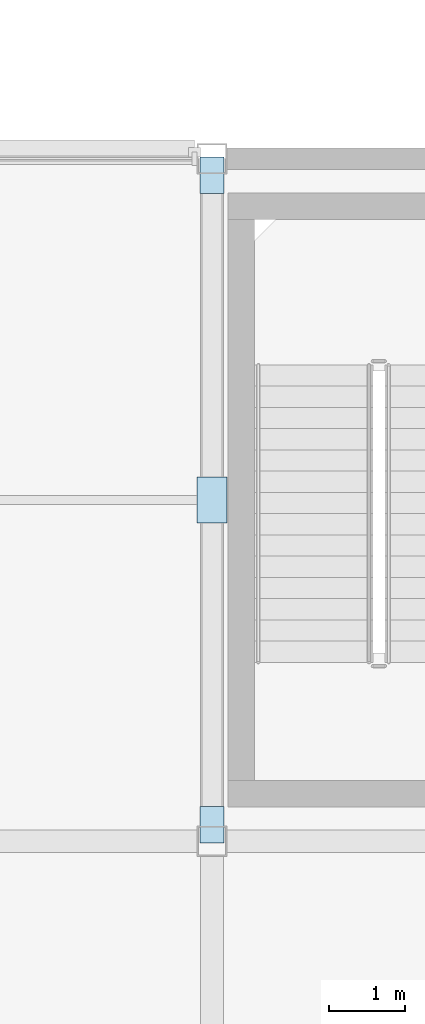
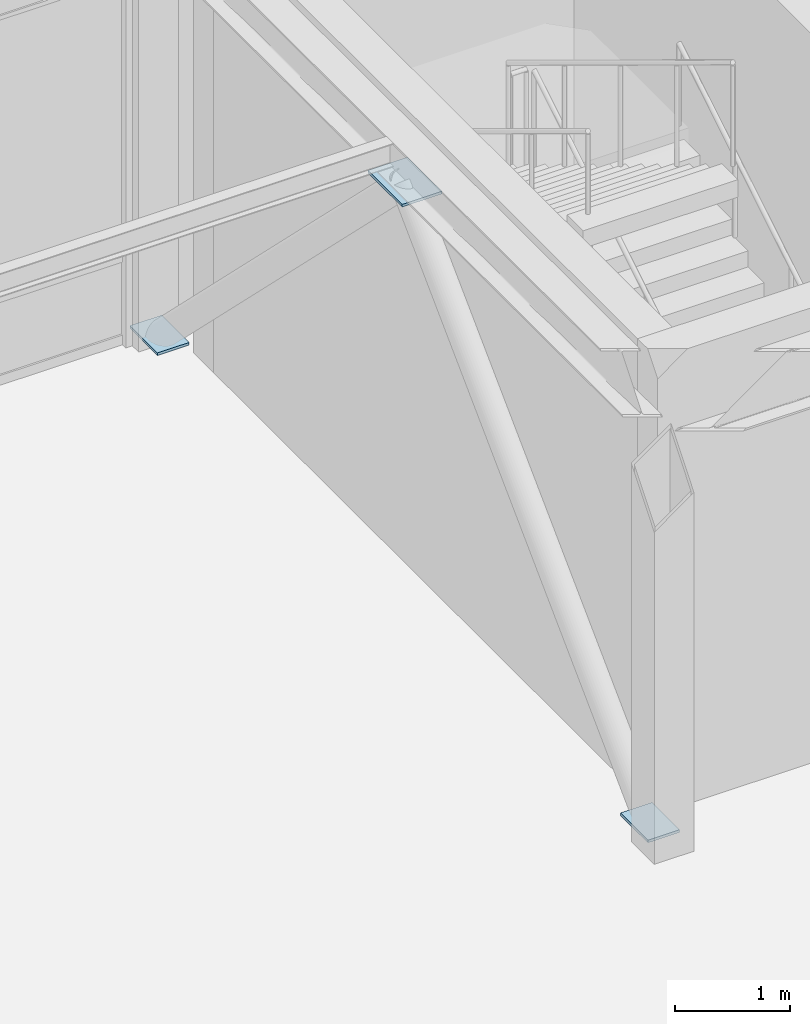
# One storey, part 72 of 123: 3 plates.
"""IFC4 building model written with IfcOpenShell, lengths in metres."""

from ifc_helpers import new_model, si_unit, direction, frame, origin, origin_2d, place, context, subcontext, project, spatial, rectangle, extrude, material, layer, layer_set, type_object, element, save


model = new_model("IFC4")

# Units and contexts
model_context = context("Model", 3, precision=1e-05, world=origin(), true_north=direction((0.0, 1.0)))
body_context = subcontext(model_context, "Body", "Model", "MODEL_VIEW")
ifc_project = project(units=[si_unit("LENGTHUNIT", "METRE"), si_unit("AREAUNIT", "SQUARE_METRE"), si_unit("VOLUMEUNIT", "CUBIC_METRE"), si_unit("PLANEANGLEUNIT", "RADIAN"), si_unit("MASSUNIT", "GRAM", prefix="KILO")], contexts=[model_context])

# Site, building, storey
site_placement = place(None, origin())
site = spatial("IfcSite", under=ifc_project, at=site_placement, CompositionType="ELEMENT")
building_placement = place(site_placement, origin())
building = spatial("IfcBuilding", under=site, at=building_placement, Name="Suzunagisa Mobility Hub", CompositionType="ELEMENT")
storey_placement = place(building_placement, origin())
storey = spatial("IfcBuildingStorey", under=building, at=storey_placement, Name="L00", CompositionType="ELEMENT", Elevation=0.0)

# Plates
ifc_material = material(Name="Steel SN490B", Category="steel")
ifc_layer_1 = layer(ifc_material, 0.028076171875)
ifc_layer_set_1 = layer_set([ifc_layer_1], Name="Steel SN490B")
plate_type_1 = type_object("IfcPlateType", Name="Structural Steel Plate SP-04 480x320x28", PredefinedType="USERDEFINED", material=ifc_layer_set_1)
for number, where, z_axis, x_axis, name in (
    (1, (9.0, 53.219970703125, 0.10595703125), (0.0, 0.0, 1.0), (1.0, 0.0, 0.0), "L00 Brace Foot Gusset Plate FGP-101.1"),
    (2, (9.0, 61.780029296875, 0.10595703125), (0.0, 0.0, 1.0), (1.0, 0.0, 0.0), "L00 Brace Foot Gusset Plate FGP-101.2"),
):
    element("IfcPlate", number, at=place(storey_placement, frame(where, z_axis=z_axis, x_axis=x_axis)), inside=storey, type_object=plate_type_1, Name=name, ObjectType="GUSSET PLATE", PredefinedType="USERDEFINED", context=body_context, shape_type="SweptSolid", body=[
        extrude(rectangle(XDim=0.320068359375, YDim=0.47998046875, at=origin_2d()), origin(), (0.0, 0.0, 1.0), 0.028076171875),
    ])
ifc_layer_2 = layer(ifc_material, 0.028076171875)
ifc_layer_set_2 = layer_set([ifc_layer_2], Name="Steel SN490B")
plate_type_2 = type_object("IfcPlateType", Name="Structural Steel Plate SP-06 600x400x28", PredefinedType="USERDEFINED", material=ifc_layer_set_2)
plate_placement = place(storey_placement, frame((9.0, 57.5, 4.333984375), z_axis=(0.0, 0.0, 1.0), x_axis=(1.0, 0.0, 0.0)))
element("IfcPlate", 3, at=plate_placement, inside=storey, type_object=plate_type_2, Name="L00 Brace Apex Gusset GP-101", ObjectType="GUSSET PLATE", PredefinedType="USERDEFINED", context=body_context, shape_type="SweptSolid", body=[
    extrude(rectangle(XDim=0.39990234375, YDim=0.60009765625, at=origin_2d()), origin(), (0.0, 0.0, 1.0), 0.028076171875),
])

save(model, "model.ifc")
